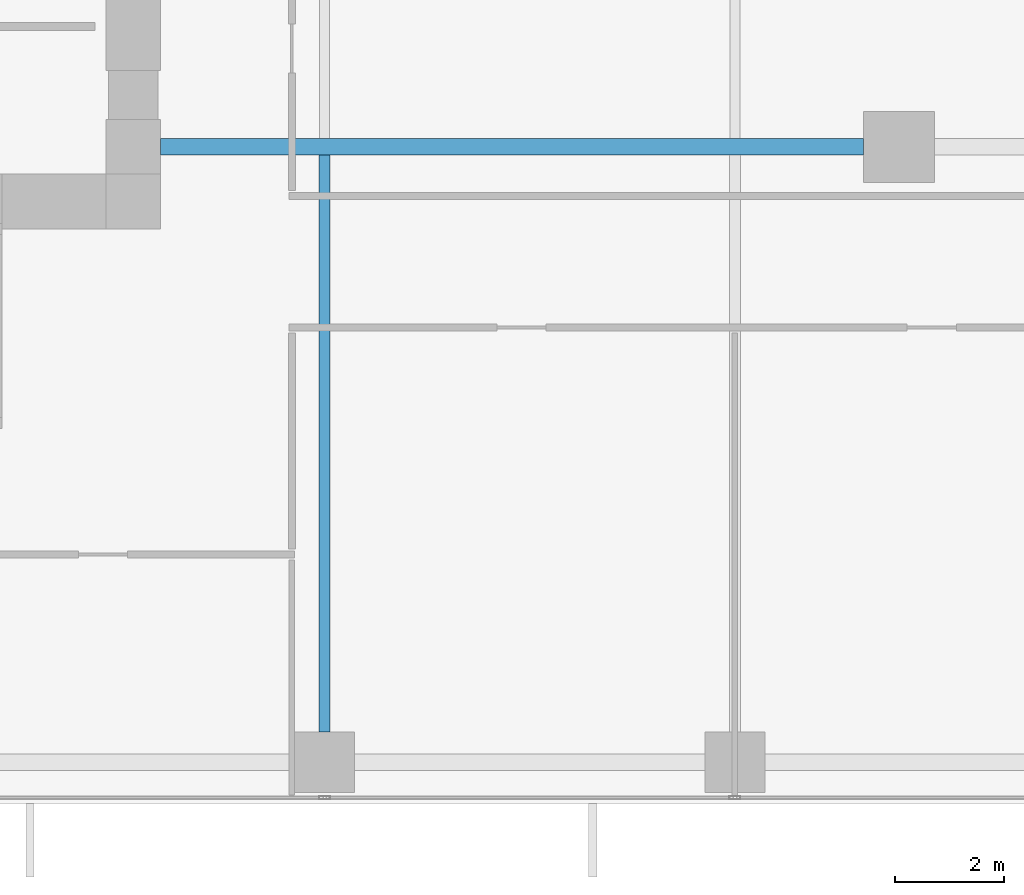
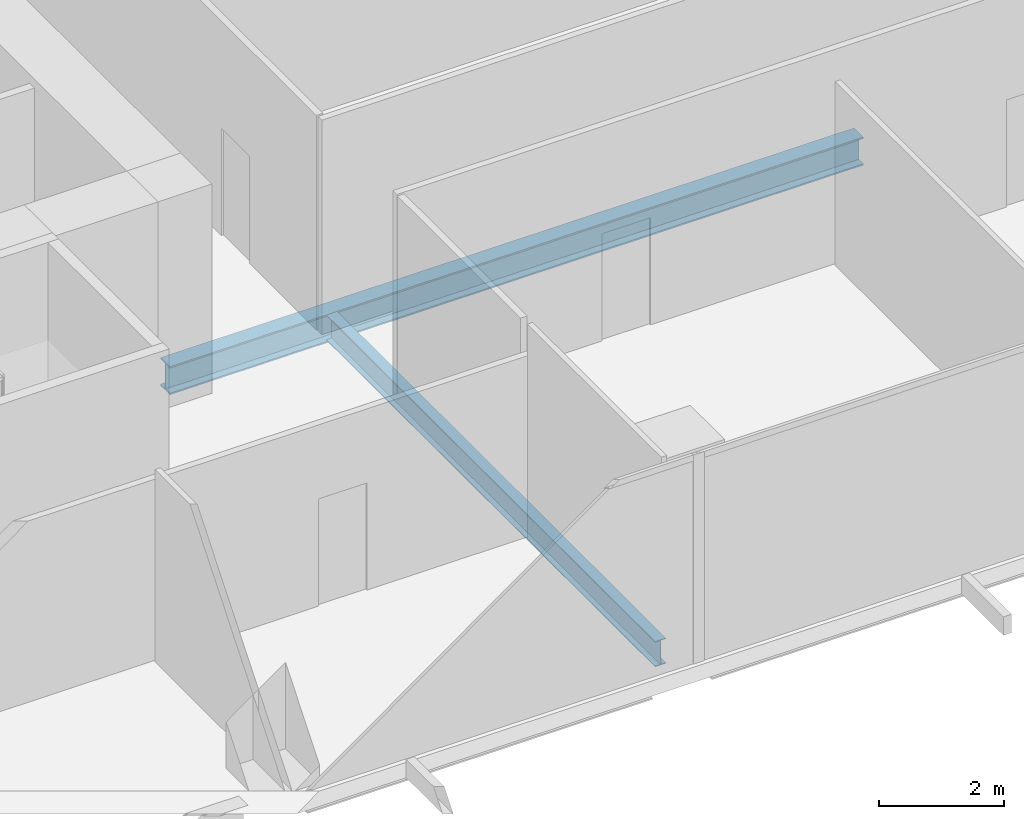
# One storey, part 6 of 34: 2 beams.
"""IFC4 building model written with IfcOpenShell, lengths in metres."""

from ifc_helpers import new_model, si_unit, direction, frame, origin, origin_2d, place, context, subcontext, project, spatial, i_section, extrude, source, transform, mapped, material, material_profile, profile_set, type_object, element, save


model = new_model("IFC4")

# Units and contexts
model_context = context("Model", 3, precision=1e-05, world=origin(), true_north=direction((0.0, 1.0)))
body_context = subcontext(model_context, "Body", "Model", "MODEL_VIEW")
ifc_project = project(units=[si_unit("LENGTHUNIT", "METRE"), si_unit("AREAUNIT", "SQUARE_METRE"), si_unit("VOLUMEUNIT", "CUBIC_METRE"), si_unit("PLANEANGLEUNIT", "RADIAN"), si_unit("MASSUNIT", "GRAM", prefix="KILO")], contexts=[model_context])

# Site, building, storey
site_placement = place(None, origin())
site = spatial("IfcSite", under=ifc_project, at=site_placement, CompositionType="ELEMENT")
building_placement = place(site_placement, origin())
building = spatial("IfcBuilding", under=site, at=building_placement, Name="Khomas Fold Tower", CompositionType="ELEMENT")
storey_placement = place(building_placement, frame((0.0, 0.0, 110.300048828125)))
storey = spatial("IfcBuildingStorey", under=building, at=storey_placement, Name="L23", CompositionType="ELEMENT", Elevation=110.300048828125)

# Beams
ifc_material_1 = material(Name="Steel S355", Category="steel")
ifc_material_profile_1 = material_profile(ifc_material_1, i_section(OverallWidth=0.300048828125, OverallDepth=0.550048828125, WebThickness=0.014892578125, FlangeThickness=0.029052734375, at=origin_2d()), Name="HE 550 B")
ifc_profile_set_1 = profile_set([ifc_material_profile_1], Name="Steel S355")
beam_type_1 = type_object("IfcBeamType", Name="HE 550 B beam GB4", PredefinedType="BEAM", material=ifc_profile_set_1)
shared_shape_1 = source(origin(), body_context, "Body", "SweptSolid", [
    extrude(i_section(OverallWidth=0.300048828125, OverallDepth=0.550048828125, WebThickness=0.014892578125, FlangeThickness=0.029052734375, at=origin_2d()), origin(), (0.0, 0.0, 1.0), 12.85009765625),
])
beam_1_placement = place(storey_placement, frame((24.0, 13.5, -0.574951171875), z_axis=(1.0, 0.0, 0.0), x_axis=(0.0, 1.0, 0.0)))
element("IfcBeam", 1, at=beam_1_placement, inside=storey, type_object=beam_type_1, Name="GB4", PredefinedType="BEAM", context=body_context, shape_type="MappedRepresentation", body=[
    mapped(shared_shape_1, transform((0.0, 0.0, 0.0))),
])
ifc_material_2 = material(Name="Steel S355", Category="steel")
ifc_material_profile_2 = material_profile(ifc_material_2, i_section(OverallWidth=0.199951171875, OverallDepth=0.5, WebThickness=0.01025390625, FlangeThickness=0.01611328125, at=origin_2d()), Name="IPE 500")
ifc_profile_set_2 = profile_set([ifc_material_profile_2], Name="Steel S355")
beam_type_2 = type_object("IfcBeamType", Name="IPE 500 beam JB5", PredefinedType="BEAM", material=ifc_profile_set_2)
shared_shape_2 = source(origin(), body_context, "Body", "SweptSolid", [
    extrude(i_section(OverallWidth=0.199951171875, OverallDepth=0.5, WebThickness=0.01025390625, FlangeThickness=0.01611328125, at=origin_2d()), origin(), (0.0, 0.0, 1.0), 10.550048828125),
])
beam_2_placement = place(storey_placement, frame((27.0, 2.800048828125, -0.550048828125), z_axis=(0.0, 1.0, 0.0), x_axis=(-1.0, 0.0, 0.0)))
element("IfcBeam", 2, at=beam_2_placement, inside=storey, type_object=beam_type_2, Name="JB5", PredefinedType="BEAM", context=body_context, shape_type="MappedRepresentation", body=[
    mapped(shared_shape_2, transform((0.0, 0.0, 0.0))),
])

save(model, "model.ifc")
